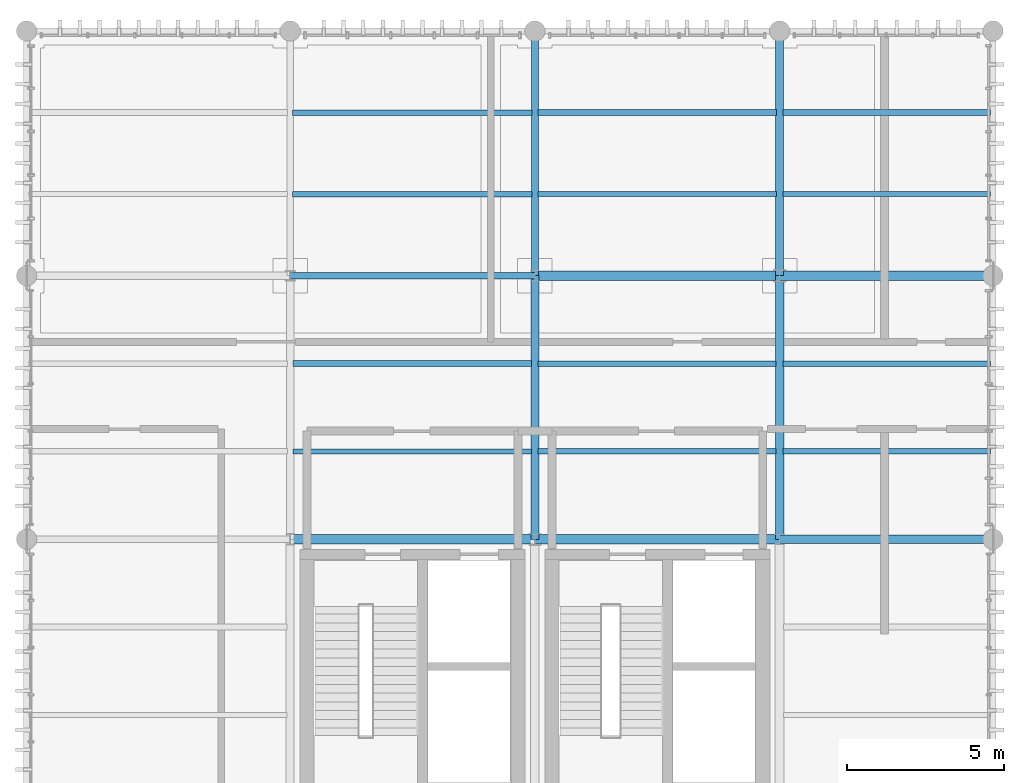
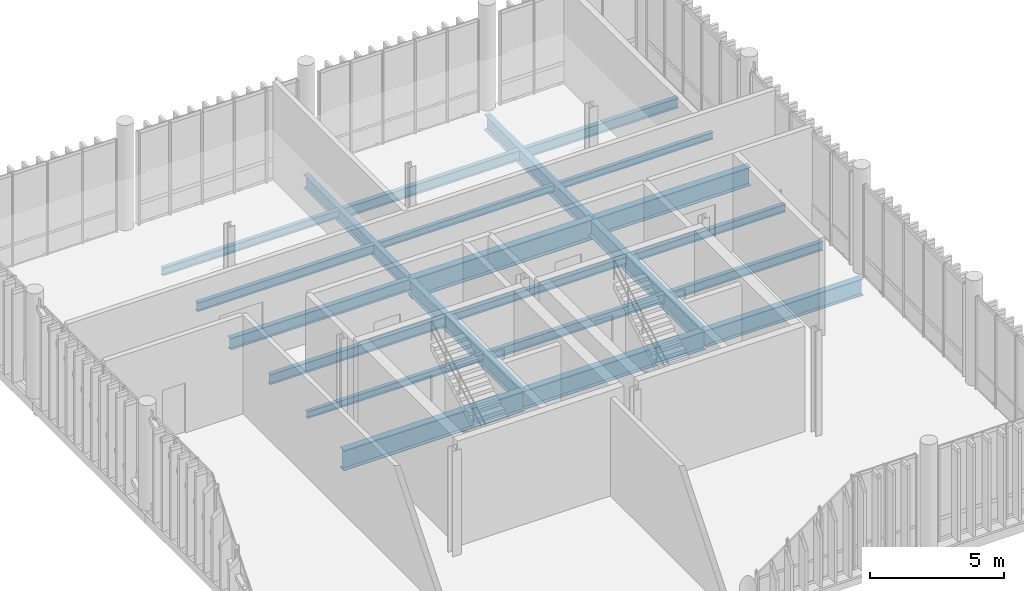
# One storey, part 54 of 86: 22 beams.
"""IFC4 building model written with IfcOpenShell, lengths in metres."""

from ifc_helpers import new_model, si_unit, direction, frame, origin_with_axes, origin_2d_with_axis, place, context, subcontext, project, spatial, i_section, extrude, material, material_profile, profile_set, type_object, element, save


model = new_model("IFC4")

# Units and contexts
model_context = context("Model", 3, precision=1e-05, world=origin_with_axes(), true_north=direction((0.0, 1.0)))
body_context = subcontext(model_context, "Body", "Model", "MODEL_VIEW")
ifc_project = project(units=[si_unit("LENGTHUNIT", "METRE"), si_unit("AREAUNIT", "SQUARE_METRE"), si_unit("VOLUMEUNIT", "CUBIC_METRE"), si_unit("PLANEANGLEUNIT", "RADIAN"), si_unit("MASSUNIT", "GRAM", prefix="KILO"), si_unit("THERMODYNAMICTEMPERATUREUNIT", "KELVIN")], contexts=[model_context])

# Site, building, storey
site_placement = place(None, origin_with_axes())
site = spatial("IfcSite", under=ifc_project, at=site_placement, CompositionType="ELEMENT")
building_placement = place(site_placement, origin_with_axes())
building = spatial("IfcBuilding", under=site, at=building_placement, Name="Montbau Bow Law Courts", CompositionType="ELEMENT")
storey_placement = place(building_placement, frame((0.0, 0.0, 29.7), z_axis=(0.0, 0.0, 1.0), x_axis=(1.0, 0.0, 0.0)))
storey = spatial("IfcBuildingStorey", under=building, at=storey_placement, Name="L06", CompositionType="ELEMENT", Elevation=29.7)

# Beams
ifc_material = material(Name="Steel CSA G40.21 Grade 350W (350 MPa)", Category="steel")
ifc_material_profile_1 = material_profile(ifc_material, i_section(OverallWidth=0.306, OverallDepth=0.919, WebThickness=0.0173, FlangeThickness=0.0279, at=origin_2d_with_axis()), Name="W920X253", Category="Main", Priority=0)
ifc_profile_set_1 = profile_set([ifc_material_profile_1], Name="Steel CSA G40.21 Grade 350W (350 MPa)")
beam_type_1 = type_object("IfcBeamType", Name="B-FLR-01", PredefinedType="BEAM", material=ifc_profile_set_1)
for number, where, z_axis, x_axis, name in (
    (1, (147.0, 94.8, 28.901), (1.0, 0.0, 0.0), (0.0, 1.0, 0.0), "BM-L06-S1307:bm2_1310"),
    (2, (154.8, 103.2, 28.901), (1.0, 0.0, 0.0), (0.0, 1.0, 0.0), "BM-L06-S1312:bm2_1315"),
):
    element("IfcBeam", number, at=place(None, frame(where, z_axis=z_axis, x_axis=x_axis)), inside=storey, type_object=beam_type_1, Name=name, PredefinedType="BEAM", context=body_context, shape_type="SweptSolid", body=[
        extrude(i_section(OverallWidth=0.306, OverallDepth=0.919, WebThickness=0.0173, FlangeThickness=0.0279, at=origin_2d_with_axis()), origin_with_axes(), (0.0, 0.0, 1.0), 7.8),
    ])
ifc_material_profile_2 = material_profile(ifc_material, i_section(OverallWidth=0.293, OverallDepth=0.846, WebThickness=0.0154, FlangeThickness=0.0244, at=origin_2d_with_axis()), Name="W840X210", Category="Main", Priority=0)
ifc_profile_set_2 = profile_set([ifc_material_profile_2], Name="Steel CSA G40.21 Grade 350W (350 MPa)")
beam_type_2 = type_object("IfcBeamType", Name="B-FLR-02", PredefinedType="BEAM", material=ifc_profile_set_2)
beam_1_placement = place(None, frame((154.8, 94.8, 28.937), z_axis=(1.0, 0.0, 0.0), x_axis=(0.0, 1.0, 0.0)))
element("IfcBeam", 3, at=beam_1_placement, inside=storey, type_object=beam_type_2, Name="BM-L06-S1308:bm2_1311", PredefinedType="BEAM", context=body_context, shape_type="SweptSolid", body=[
    extrude(i_section(OverallWidth=0.293, OverallDepth=0.846, WebThickness=0.0154, FlangeThickness=0.0244, at=origin_2d_with_axis()), origin_with_axes(), (0.0, 0.0, 1.0), 7.8),
])
beam_2_placement = place(None, frame((162.6, 103.2, 28.937), z_axis=(1.0, 0.0, 0.0), x_axis=(0.0, 1.0, 0.0)))
element("IfcBeam", 4, at=beam_2_placement, inside=storey, type_object=beam_type_2, Name="BM-L06-S1313:bm2_1316", PredefinedType="BEAM", context=body_context, shape_type="SweptSolid", body=[
    extrude(i_section(OverallWidth=0.293, OverallDepth=0.846, WebThickness=0.0154, FlangeThickness=0.0244, at=origin_2d_with_axis()), origin_with_axes(), (0.0, 0.0, 1.0), 6.8),
])
ifc_material_profile_3 = material_profile(ifc_material, i_section(OverallWidth=0.267, OverallDepth=0.766, WebThickness=0.0149, FlangeThickness=0.0236, at=origin_2d_with_axis()), Name="W760X185", Category="Main", Priority=0)
ifc_profile_set_3 = profile_set([ifc_material_profile_3], Name="Steel CSA G40.21 Grade 350W (350 MPa)")
beam_type_3 = type_object("IfcBeamType", Name="B-FLR-03", PredefinedType="BEAM", material=ifc_profile_set_3)
beam_3_placement = place(None, frame((162.6, 94.8, 28.977), z_axis=(1.0, 0.0, 0.0), x_axis=(0.0, 1.0, 0.0)))
element("IfcBeam", 5, at=beam_3_placement, inside=storey, type_object=beam_type_3, Name="BM-L06-S1309:bm2_1312", PredefinedType="BEAM", context=body_context, shape_type="SweptSolid", body=[
    extrude(i_section(OverallWidth=0.267, OverallDepth=0.766, WebThickness=0.0149, FlangeThickness=0.0236, at=origin_2d_with_axis()), origin_with_axes(), (0.0, 0.0, 1.0), 6.8),
])
beam_4_placement = place(None, frame((162.6, 94.8, 28.977), z_axis=(0.0, 1.0, 0.0), x_axis=(-1.0, 0.0, 0.0)))
element("IfcBeam", 6, at=beam_4_placement, inside=storey, type_object=beam_type_3, Name="BM-L06-S1332:bm2_1335", PredefinedType="BEAM", context=body_context, shape_type="SweptSolid", body=[
    extrude(i_section(OverallWidth=0.267, OverallDepth=0.766, WebThickness=0.0149, FlangeThickness=0.0236, at=origin_2d_with_axis()), origin_with_axes(), (0.0, 0.0, 1.0), 8.4),
])
ifc_material_profile_4 = material_profile(ifc_material, i_section(OverallWidth=0.254, OverallDepth=0.688, WebThickness=0.0131, FlangeThickness=0.0211, at=origin_2d_with_axis()), Name="W690X152", Category="Main", Priority=0)
ifc_profile_set_4 = profile_set([ifc_material_profile_4], Name="Steel CSA G40.21 Grade 350W (350 MPa)")
beam_type_4 = type_object("IfcBeamType", Name="B-FLR-04", PredefinedType="BEAM", material=ifc_profile_set_4)
beam_5_placement = place(None, frame((154.8, 94.8, 29.016), z_axis=(0.0, 1.0, 0.0), x_axis=(-1.0, 0.0, 0.0)))
element("IfcBeam", 7, at=beam_5_placement, inside=storey, type_object=beam_type_4, Name="BM-L06-S1328:bm2_1331", PredefinedType="BEAM", context=body_context, shape_type="SweptSolid", body=[
    extrude(i_section(OverallWidth=0.254, OverallDepth=0.688, WebThickness=0.0131, FlangeThickness=0.0211, at=origin_2d_with_axis()), origin_with_axes(), (0.0, 0.0, 1.0), 8.4),
])
beam_6_placement = place(None, frame((162.6, 103.2, 29.016), z_axis=(0.0, 1.0, 0.0), x_axis=(-1.0, 0.0, 0.0)))
element("IfcBeam", 8, at=beam_6_placement, inside=storey, type_object=beam_type_4, Name="BM-L06-S1333:bm2_1336", PredefinedType="BEAM", context=body_context, shape_type="SweptSolid", body=[
    extrude(i_section(OverallWidth=0.254, OverallDepth=0.688, WebThickness=0.0131, FlangeThickness=0.0211, at=origin_2d_with_axis()), origin_with_axes(), (0.0, 0.0, 1.0), 7.8),
])
ifc_material_profile_5 = material_profile(ifc_material, i_section(OverallWidth=0.229, OverallDepth=0.612, WebThickness=0.0119, FlangeThickness=0.0196, at=origin_2d_with_axis()), Name="W610X125", Category="Main", Priority=0)
ifc_profile_set_5 = profile_set([ifc_material_profile_5], Name="Steel CSA G40.21 Grade 350W (350 MPa)")
beam_type_5 = type_object("IfcBeamType", Name="B-FLR-05", PredefinedType="BEAM", material=ifc_profile_set_5)
beam_7_placement = place(None, frame((154.8, 103.2, 29.054), z_axis=(0.0, 1.0, 0.0), x_axis=(-1.0, 0.0, 0.0)))
element("IfcBeam", 9, at=beam_7_placement, inside=storey, type_object=beam_type_5, Name="BM-L06-S1329:bm2_1332", PredefinedType="BEAM", context=body_context, shape_type="SweptSolid", body=[
    extrude(i_section(OverallWidth=0.229, OverallDepth=0.612, WebThickness=0.0119, FlangeThickness=0.0196, at=origin_2d_with_axis()), origin_with_axes(), (0.0, 0.0, 1.0), 7.8),
])
ifc_material_profile_6 = material_profile(ifc_material, i_section(OverallWidth=0.21, OverallDepth=0.537, WebThickness=0.0109, FlangeThickness=0.0174, at=origin_2d_with_axis()), Name="W530X101", Category="Main", Priority=0)
ifc_profile_set_6 = profile_set([ifc_material_profile_6], Name="Steel CSA G40.21 Grade 350W (350 MPa)")
beam_type_6 = type_object("IfcBeamType", Name="B-FLR-06", PredefinedType="BEAM", material=ifc_profile_set_6)
beam_8_placement = place(None, frame((147.0, 103.2, 29.091), z_axis=(1.0, 0.0, 0.0), x_axis=(0.0, 1.0, 0.0)))
element("IfcBeam", 10, at=beam_8_placement, inside=storey, type_object=beam_type_6, Name="BM-L06-S1311:bm2_1314", PredefinedType="BEAM", context=body_context, shape_type="SweptSolid", body=[
    extrude(i_section(OverallWidth=0.21, OverallDepth=0.537, WebThickness=0.0109, FlangeThickness=0.0174, at=origin_2d_with_axis()), origin_with_axes(), (0.0, 0.0, 1.0), 7.8),
])
ifc_material_profile_7 = material_profile(ifc_material, i_section(OverallWidth=0.191, OverallDepth=0.46, WebThickness=0.0099, FlangeThickness=0.016, at=origin_2d_with_axis()), Name="W460X82", Category="Main", Priority=0)
ifc_profile_set_7 = profile_set([ifc_material_profile_7], Name="Steel CSA G40.21 Grade 350W (350 MPa)")
beam_type_7 = type_object("IfcBeamType", Name="B-JST-01", PredefinedType="JOIST", material=ifc_profile_set_7)
beam_9_placement = place(None, frame((147.09, 100.4, 29.13), z_axis=(1.0, 0.0, 0.0), x_axis=(0.0, 1.0, 0.0)))
element("IfcBeam", 11, at=beam_9_placement, inside=storey, type_object=beam_type_7, Name="JST-L06-S0720:jst2_0720", PredefinedType="JOIST", context=body_context, shape_type="SweptSolid", body=[
    extrude(i_section(OverallWidth=0.191, OverallDepth=0.46, WebThickness=0.0099, FlangeThickness=0.016, at=origin_2d_with_axis()), origin_with_axes(), (0.0, 0.0, 1.0), 7.607),
])
beam_10_placement = place(None, frame((154.891, 108.4, 29.13), z_axis=(1.0, 0.0, 0.0), x_axis=(0.0, 1.0, 0.0)))
element("IfcBeam", 12, at=beam_10_placement, inside=storey, type_object=beam_type_7, Name="JST-L06-S0728:jst2_0728", PredefinedType="JOIST", context=body_context, shape_type="SweptSolid", body=[
    extrude(i_section(OverallWidth=0.191, OverallDepth=0.46, WebThickness=0.0099, FlangeThickness=0.016, at=origin_2d_with_axis()), origin_with_axes(), (0.0, 0.0, 1.0), 7.606),
])
beam_11_placement = place(None, frame((162.703, 108.4, 29.13), z_axis=(1.0, 0.0, 0.0), x_axis=(0.0, 1.0, 0.0)))
element("IfcBeam", 13, at=beam_11_placement, inside=storey, type_object=beam_type_7, Name="JST-L06-S0736:jst2_0736", PredefinedType="JOIST", context=body_context, shape_type="SweptSolid", body=[
    extrude(i_section(OverallWidth=0.191, OverallDepth=0.46, WebThickness=0.0099, FlangeThickness=0.016, at=origin_2d_with_axis()), origin_with_axes(), (0.0, 0.0, 1.0), 6.617),
])
ifc_material_profile_8 = material_profile(ifc_material, i_section(OverallWidth=0.179, OverallDepth=0.41, WebThickness=0.0088, FlangeThickness=0.0144, at=origin_2d_with_axis()), Name="W410X67", Category="Main", Priority=0)
ifc_profile_set_8 = profile_set([ifc_material_profile_8], Name="Steel CSA G40.21 Grade 350W (350 MPa)")
beam_type_8 = type_object("IfcBeamType", Name="B-JST-02", PredefinedType="JOIST", material=ifc_profile_set_8)
beam_12_placement = place(None, frame((147.081, 105.8, 29.155), z_axis=(1.0, 0.0, 0.0), x_axis=(0.0, 1.0, 0.0)))
element("IfcBeam", 14, at=beam_12_placement, inside=storey, type_object=beam_type_8, Name="JST-L06-S0721:jst2_0721", PredefinedType="JOIST", context=body_context, shape_type="SweptSolid", body=[
    extrude(i_section(OverallWidth=0.179, OverallDepth=0.41, WebThickness=0.0088, FlangeThickness=0.0144, at=origin_2d_with_axis()), origin_with_axes(), (0.0, 0.0, 1.0), 7.629),
])
beam_13_placement = place(None, frame((154.903, 97.6, 29.155), z_axis=(1.0, 0.0, 0.0), x_axis=(0.0, 1.0, 0.0)))
element("IfcBeam", 15, at=beam_13_placement, inside=storey, type_object=beam_type_8, Name="JST-L06-S0725:jst2_0725", PredefinedType="JOIST", context=body_context, shape_type="SweptSolid", body=[
    extrude(i_section(OverallWidth=0.179, OverallDepth=0.41, WebThickness=0.0088, FlangeThickness=0.0144, at=origin_2d_with_axis()), origin_with_axes(), (0.0, 0.0, 1.0), 7.587),
])
beam_14_placement = place(None, frame((162.709, 97.6, 29.155), z_axis=(1.0, 0.0, 0.0), x_axis=(0.0, 1.0, 0.0)))
element("IfcBeam", 16, at=beam_14_placement, inside=storey, type_object=beam_type_8, Name="JST-L06-S0733:jst2_0733", PredefinedType="JOIST", context=body_context, shape_type="SweptSolid", body=[
    extrude(i_section(OverallWidth=0.179, OverallDepth=0.41, WebThickness=0.0088, FlangeThickness=0.0144, at=origin_2d_with_axis()), origin_with_axes(), (0.0, 0.0, 1.0), 6.611),
])
ifc_material_profile_9 = material_profile(ifc_material, i_section(OverallWidth=0.172, OverallDepth=0.358, WebThickness=0.0079, FlangeThickness=0.0131, at=origin_2d_with_axis()), Name="W360X57", Category="Main", Priority=0)
ifc_profile_set_9 = profile_set([ifc_material_profile_9], Name="Steel CSA G40.21 Grade 350W (350 MPa)")
beam_type_9 = type_object("IfcBeamType", Name="B-JST-03", PredefinedType="JOIST", material=ifc_profile_set_9)
beam_15_placement = place(None, frame((147.081, 108.4, 29.181), z_axis=(1.0, 0.0, 0.0), x_axis=(0.0, 1.0, 0.0)))
element("IfcBeam", 17, at=beam_15_placement, inside=storey, type_object=beam_type_9, Name="JST-L06-S0722:jst2_0722", PredefinedType="JOIST", context=body_context, shape_type="SweptSolid", body=[
    extrude(i_section(OverallWidth=0.172, OverallDepth=0.358, WebThickness=0.0079, FlangeThickness=0.0131, at=origin_2d_with_axis()), origin_with_axes(), (0.0, 0.0, 1.0), 7.629),
])
beam_16_placement = place(None, frame((154.903, 100.4, 29.181), z_axis=(1.0, 0.0, 0.0), x_axis=(0.0, 1.0, 0.0)))
element("IfcBeam", 18, at=beam_16_placement, inside=storey, type_object=beam_type_9, Name="JST-L06-S0726:jst2_0726", PredefinedType="JOIST", context=body_context, shape_type="SweptSolid", body=[
    extrude(i_section(OverallWidth=0.172, OverallDepth=0.358, WebThickness=0.0079, FlangeThickness=0.0131, at=origin_2d_with_axis()), origin_with_axes(), (0.0, 0.0, 1.0), 7.587),
])
beam_17_placement = place(None, frame((162.709, 100.4, 29.181), z_axis=(1.0, 0.0, 0.0), x_axis=(0.0, 1.0, 0.0)))
element("IfcBeam", 19, at=beam_17_placement, inside=storey, type_object=beam_type_9, Name="JST-L06-S0734:jst2_0734", PredefinedType="JOIST", context=body_context, shape_type="SweptSolid", body=[
    extrude(i_section(OverallWidth=0.172, OverallDepth=0.358, WebThickness=0.0079, FlangeThickness=0.0131, at=origin_2d_with_axis()), origin_with_axes(), (0.0, 0.0, 1.0), 6.611),
])
ifc_material_profile_10 = material_profile(ifc_material, i_section(OverallWidth=0.166, OverallDepth=0.313, WebThickness=0.0066, FlangeThickness=0.0112, at=origin_2d_with_axis()), Name="W310X45", Category="Main", Priority=0)
ifc_profile_set_10 = profile_set([ifc_material_profile_10], Name="Steel CSA G40.21 Grade 350W (350 MPa)")
beam_type_10 = type_object("IfcBeamType", Name="B-JST-04", PredefinedType="JOIST", material=ifc_profile_set_10)
beam_18_placement = place(None, frame((147.09, 97.6, 29.203), z_axis=(1.0, 0.0, 0.0), x_axis=(0.0, 1.0, 0.0)))
element("IfcBeam", 20, at=beam_18_placement, inside=storey, type_object=beam_type_10, Name="JST-L06-S0719:jst2_0719", PredefinedType="JOIST", context=body_context, shape_type="SweptSolid", body=[
    extrude(i_section(OverallWidth=0.166, OverallDepth=0.313, WebThickness=0.0066, FlangeThickness=0.0112, at=origin_2d_with_axis()), origin_with_axes(), (0.0, 0.0, 1.0), 7.607),
])
beam_19_placement = place(None, frame((154.891, 105.8, 29.203), z_axis=(1.0, 0.0, 0.0), x_axis=(0.0, 1.0, 0.0)))
element("IfcBeam", 21, at=beam_19_placement, inside=storey, type_object=beam_type_10, Name="JST-L06-S0727:jst2_0727", PredefinedType="JOIST", context=body_context, shape_type="SweptSolid", body=[
    extrude(i_section(OverallWidth=0.166, OverallDepth=0.313, WebThickness=0.0066, FlangeThickness=0.0112, at=origin_2d_with_axis()), origin_with_axes(), (0.0, 0.0, 1.0), 7.606),
])
beam_20_placement = place(None, frame((162.703, 105.8, 29.203), z_axis=(1.0, 0.0, 0.0), x_axis=(0.0, 1.0, 0.0)))
element("IfcBeam", 22, at=beam_20_placement, inside=storey, type_object=beam_type_10, Name="JST-L06-S0735:jst2_0735", PredefinedType="JOIST", context=body_context, shape_type="SweptSolid", body=[
    extrude(i_section(OverallWidth=0.166, OverallDepth=0.313, WebThickness=0.0066, FlangeThickness=0.0112, at=origin_2d_with_axis()), origin_with_axes(), (0.0, 0.0, 1.0), 6.617),
])

save(model, "model.ifc")
